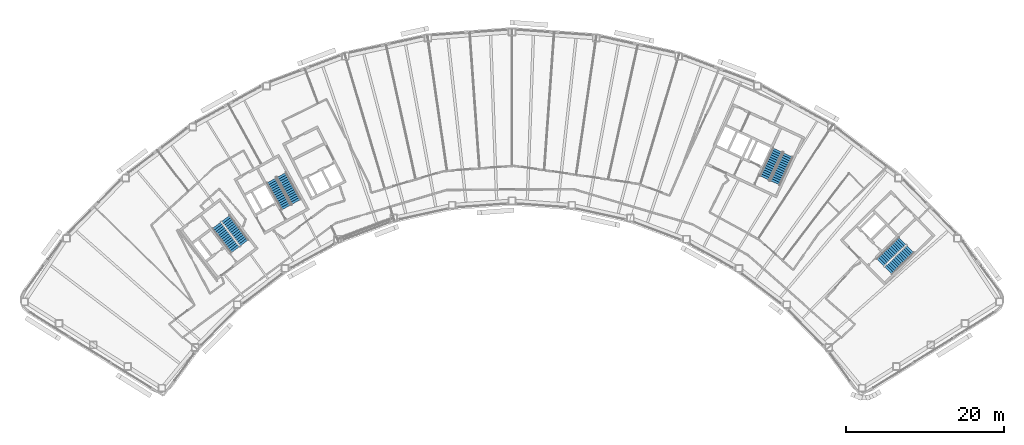
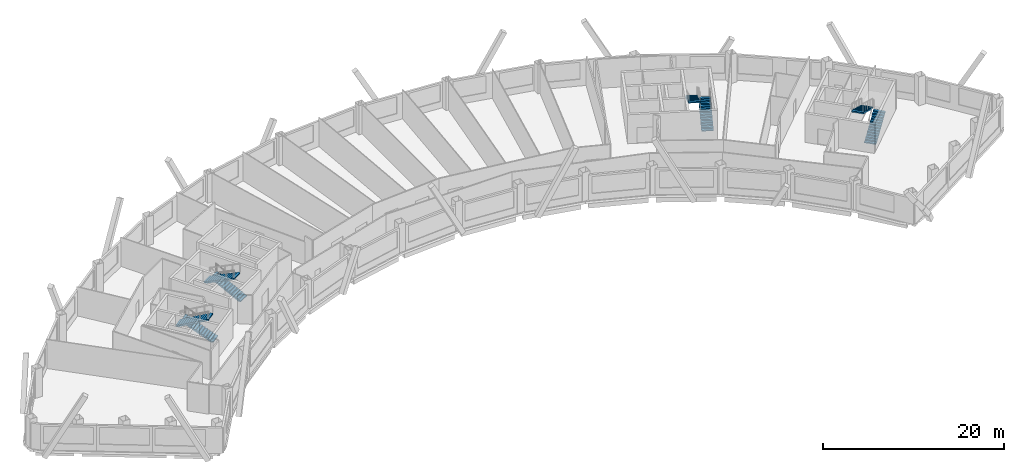
# One storey, part 11 of 13: 8 stair flights, 4 elements without a shape of their own.
"""IFC4 building model written with IfcOpenShell, lengths in metres."""

from ifc_helpers import new_model, si_unit, direction, frame, origin, place, context, subcontext, project, spatial, polyline, outline, extrude, material, type_object, element, aggregate, save


model = new_model("IFC4")

# Units and contexts
model_context = context("Model", 3, precision=1e-05, world=origin(), true_north=direction((0.0, 1.0)))
body_context = subcontext(model_context, "Body", "Model", "MODEL_VIEW")
ifc_project = project(units=[si_unit("LENGTHUNIT", "METRE"), si_unit("AREAUNIT", "SQUARE_METRE"), si_unit("VOLUMEUNIT", "CUBIC_METRE"), si_unit("PLANEANGLEUNIT", "RADIAN"), si_unit("MASSUNIT", "GRAM", prefix="KILO")], contexts=[model_context])

# Site, building, storey
site_placement = place(None, origin())
site = spatial("IfcSite", under=ifc_project, at=site_placement, CompositionType="ELEMENT")
building_placement = place(site_placement, origin())
building = spatial("IfcBuilding", under=site, at=building_placement, Name="Tuul Gate Civic Tower", CompositionType="ELEMENT")
storey_placement = place(building_placement, frame((0.0, 0.0, 188.89990234375)))
storey = spatial("IfcBuildingStorey", under=building, at=storey_placement, Name="Level 43", CompositionType="ELEMENT", Elevation=188.89990234375)

# Stair, stair flights
ifc_material_1 = material(Name="Concrete C40/50", Category="concrete")
stair_type = type_object("IfcStairType", Name="Exit stair", PredefinedType="HALF_TURN_STAIR", material=ifc_material_1)
stair_1_placement = place(storey_placement, origin())
stair_1 = element("IfcStair", 1, at=stair_1_placement, inside=storey, type_object=stair_type, Name="Level 43 ST-1", PredefinedType="HALF_TURN_STAIR")
ifc_material_2 = material(Name="Concrete C40/50", Category="concrete")
stair_flight_type = type_object("IfcStairFlightType", Name="Exit stair flight", PredefinedType="STRAIGHT", material=ifc_material_2)
stair_flight_1_placement = place(storey_placement, frame((-32.875244140625, -13.066650390625, 0.0), z_axis=(0.0, 0.0, 1.0), x_axis=(-0.605764474941, 0.795644016442, 0.0)))
stair_flight_1 = element("IfcStairFlight", 2, at=stair_flight_1_placement, type_object=stair_flight_type, Name="ST-1 flight 1", NumberOfRisers=14, NumberOfTreads=13, PredefinedType="STRAIGHT", RiserHeight=0.15, TreadLength=0.3, context=body_context, shape_type="SweptSolid", body=[
    extrude(outline(polyline([(0.0, 0.0), (0.0, 0.14990234375), (0.300048828125, 0.14990234375), (0.300048828125, 0.300048828125), (0.60009765625, 0.300048828125), (0.60009765625, 0.449951171875), (0.89990234375, 0.449951171875), (0.89990234375, 0.60009765625), (1.199951171875, 0.60009765625), (1.199951171875, 0.75), (1.5, 0.75), (1.5, 0.89990234375), (1.800048828125, 0.89990234375), (1.800048828125, 1.050048828125), (2.10009765625, 1.050048828125), (2.10009765625, 1.199951171875), (2.39990234375, 1.199951171875), (2.39990234375, 1.35009765625), (2.699951171875, 1.35009765625), (2.699951171875, 1.5), (3.0, 1.5), (3.0, 1.64990234375), (3.300048828125, 1.64990234375), (3.300048828125, 1.800048828125), (3.60009765625, 1.800048828125), (3.60009765625, 1.949951171875), (3.89990234375, 1.949951171875), (3.89990234375, 2.10009765625), (3.89990234375, 1.782470703125), (0.335205078125, 0.0), (0.0, 0.0)])), frame((0.0, 0.675048828125, 0.0), z_axis=(0.0, -1.0, 0.0), x_axis=(1.0, 0.0, 0.0)), (0.0, 0.0, 1.0), 1.35009765625),
])
stair_flight_2_placement = place(storey_placement, frame((-36.391357421875, -10.842041015625, 2.10009765625), z_axis=(0.0, 0.0, 1.0), x_axis=(0.605764474941, -0.795644016442, 0.0)))
stair_flight_2 = element("IfcStairFlight", 3, at=stair_flight_2_placement, type_object=stair_flight_type, Name="ST-1 flight 2", NumberOfRisers=14, NumberOfTreads=13, PredefinedType="STRAIGHT", RiserHeight=0.15, TreadLength=0.3, context=body_context, shape_type="SweptSolid", body=[
    extrude(outline(polyline([(0.0, 0.0), (0.0, 0.14990234375), (0.300048828125, 0.14990234375), (0.300048828125, 0.300048828125), (0.60009765625, 0.300048828125), (0.60009765625, 0.449951171875), (0.89990234375, 0.449951171875), (0.89990234375, 0.60009765625), (1.199951171875, 0.60009765625), (1.199951171875, 0.75), (1.5, 0.75), (1.5, 0.89990234375), (1.800048828125, 0.89990234375), (1.800048828125, 1.050048828125), (2.10009765625, 1.050048828125), (2.10009765625, 1.199951171875), (2.39990234375, 1.199951171875), (2.39990234375, 1.35009765625), (2.699951171875, 1.35009765625), (2.699951171875, 1.5), (3.0, 1.5), (3.0, 1.64990234375), (3.300048828125, 1.64990234375), (3.300048828125, 1.800048828125), (3.60009765625, 1.800048828125), (3.60009765625, 1.949951171875), (3.89990234375, 1.949951171875), (3.89990234375, 2.10009765625), (3.89990234375, 1.782470703125), (0.335205078125, 0.0), (0.0, 0.0)])), frame((0.0, 0.675048828125, 0.0), z_axis=(0.0, -1.0, 0.0), x_axis=(1.0, 0.0, 0.0)), (0.0, 0.0, 1.0), 1.35009765625),
])
aggregate(stair_1, [stair_flight_1, stair_flight_2])

stair_2_placement = place(storey_placement, origin())
stair_2 = element("IfcStair", 4, at=stair_2_placement, inside=storey, type_object=stair_type, Name="Level 43 ST-2", PredefinedType="HALF_TURN_STAIR")
stair_flight_3_placement = place(storey_placement, frame((-26.29150390625, -7.87646484375, 0.0), z_axis=(0.0, 0.0, 1.0), x_axis=(-0.484761763766, 0.874646232708, 0.0)))
stair_flight_3 = element("IfcStairFlight", 5, at=stair_flight_3_placement, type_object=stair_flight_type, Name="ST-2 flight 1", NumberOfRisers=14, NumberOfTreads=13, PredefinedType="STRAIGHT", RiserHeight=0.15, TreadLength=0.3, context=body_context, shape_type="SweptSolid", body=[
    extrude(outline(polyline([(0.0, 0.0), (0.0, 0.14990234375), (0.300048828125, 0.14990234375), (0.300048828125, 0.300048828125), (0.60009765625, 0.300048828125), (0.60009765625, 0.449951171875), (0.89990234375, 0.449951171875), (0.89990234375, 0.60009765625), (1.199951171875, 0.60009765625), (1.199951171875, 0.75), (1.5, 0.75), (1.5, 0.89990234375), (1.800048828125, 0.89990234375), (1.800048828125, 1.050048828125), (2.10009765625, 1.050048828125), (2.10009765625, 1.199951171875), (2.39990234375, 1.199951171875), (2.39990234375, 1.35009765625), (2.699951171875, 1.35009765625), (2.699951171875, 1.5), (3.0, 1.5), (3.0, 1.64990234375), (3.300048828125, 1.64990234375), (3.300048828125, 1.800048828125), (3.60009765625, 1.800048828125), (3.60009765625, 1.949951171875), (3.89990234375, 1.949951171875), (3.89990234375, 2.10009765625), (3.89990234375, 1.782470703125), (0.335205078125, 0.0), (0.0, 0.0)])), frame((0.0, 0.675048828125, 0.0), z_axis=(0.0, -1.0, 0.0), x_axis=(1.0, 0.0, 0.0)), (0.0, 0.0, 1.0), 1.35009765625),
])
stair_flight_4_placement = place(storey_placement, frame((-29.450439453125, -5.168212890625, 2.10009765625), z_axis=(0.0, 0.0, 1.0), x_axis=(0.484761763766, -0.874646232708, 0.0)))
stair_flight_4 = element("IfcStairFlight", 6, at=stair_flight_4_placement, type_object=stair_flight_type, Name="ST-2 flight 2", NumberOfRisers=14, NumberOfTreads=13, PredefinedType="STRAIGHT", RiserHeight=0.15, TreadLength=0.3, context=body_context, shape_type="SweptSolid", body=[
    extrude(outline(polyline([(0.0, 0.0), (0.0, 0.14990234375), (0.300048828125, 0.14990234375), (0.300048828125, 0.300048828125), (0.60009765625, 0.300048828125), (0.60009765625, 0.449951171875), (0.89990234375, 0.449951171875), (0.89990234375, 0.60009765625), (1.199951171875, 0.60009765625), (1.199951171875, 0.75), (1.5, 0.75), (1.5, 0.89990234375), (1.800048828125, 0.89990234375), (1.800048828125, 1.050048828125), (2.10009765625, 1.050048828125), (2.10009765625, 1.199951171875), (2.39990234375, 1.199951171875), (2.39990234375, 1.35009765625), (2.699951171875, 1.35009765625), (2.699951171875, 1.5), (3.0, 1.5), (3.0, 1.64990234375), (3.300048828125, 1.64990234375), (3.300048828125, 1.800048828125), (3.60009765625, 1.800048828125), (3.60009765625, 1.949951171875), (3.89990234375, 1.949951171875), (3.89990234375, 2.10009765625), (3.89990234375, 1.782470703125), (0.335205078125, 0.0), (0.0, 0.0)])), frame((0.0, 0.675048828125, 0.0), z_axis=(0.0, -1.0, 0.0), x_axis=(1.0, 0.0, 0.0)), (0.0, 0.0, 1.0), 1.35009765625),
])
aggregate(stair_2, [stair_flight_3, stair_flight_4])

stair_3_placement = place(storey_placement, origin())
stair_3 = element("IfcStair", 7, at=stair_3_placement, inside=storey, type_object=stair_type, Name="Level 43 ST-3", PredefinedType="HALF_TURN_STAIR")
stair_flight_5_placement = place(storey_placement, frame((48.61376953125, -16.581787109375, 0.0), z_axis=(0.0, 0.0, 1.0), x_axis=(0.714127290059, 0.700015866672, 0.0)))
stair_flight_5 = element("IfcStairFlight", 8, at=stair_flight_5_placement, type_object=stair_flight_type, Name="ST-3 flight 1", NumberOfRisers=14, NumberOfTreads=13, PredefinedType="STRAIGHT", RiserHeight=0.15, TreadLength=0.3, context=body_context, shape_type="SweptSolid", body=[
    extrude(outline(polyline([(0.0, 0.0), (0.0, 0.14990234375), (0.300048828125, 0.14990234375), (0.300048828125, 0.300048828125), (0.60009765625, 0.300048828125), (0.60009765625, 0.449951171875), (0.89990234375, 0.449951171875), (0.89990234375, 0.60009765625), (1.199951171875, 0.60009765625), (1.199951171875, 0.75), (1.5, 0.75), (1.5, 0.89990234375), (1.800048828125, 0.89990234375), (1.800048828125, 1.050048828125), (2.10009765625, 1.050048828125), (2.10009765625, 1.199951171875), (2.39990234375, 1.199951171875), (2.39990234375, 1.35009765625), (2.699951171875, 1.35009765625), (2.699951171875, 1.5), (3.0, 1.5), (3.0, 1.64990234375), (3.300048828125, 1.64990234375), (3.300048828125, 1.800048828125), (3.60009765625, 1.800048828125), (3.60009765625, 1.949951171875), (3.89990234375, 1.949951171875), (3.89990234375, 2.10009765625), (3.89990234375, 1.782470703125), (0.335205078125, 0.0), (0.0, 0.0)])), frame((0.0, 0.675048828125, 0.0), z_axis=(0.0, -1.0, 0.0), x_axis=(1.0, 0.0, 0.0)), (0.0, 0.0, 1.0), 1.35009765625),
])
stair_flight_6_placement = place(storey_placement, frame((50.3837890625, -12.816162109375, 2.10009765625), z_axis=(0.0, 0.0, 1.0), x_axis=(-0.714127290059, -0.700015866672, 0.0)))
stair_flight_6 = element("IfcStairFlight", 9, at=stair_flight_6_placement, type_object=stair_flight_type, Name="ST-3 flight 2", NumberOfRisers=14, NumberOfTreads=13, PredefinedType="STRAIGHT", RiserHeight=0.15, TreadLength=0.3, context=body_context, shape_type="SweptSolid", body=[
    extrude(outline(polyline([(0.0, 0.0), (0.0, 0.14990234375), (0.300048828125, 0.14990234375), (0.300048828125, 0.300048828125), (0.60009765625, 0.300048828125), (0.60009765625, 0.449951171875), (0.89990234375, 0.449951171875), (0.89990234375, 0.60009765625), (1.199951171875, 0.60009765625), (1.199951171875, 0.75), (1.5, 0.75), (1.5, 0.89990234375), (1.800048828125, 0.89990234375), (1.800048828125, 1.050048828125), (2.10009765625, 1.050048828125), (2.10009765625, 1.199951171875), (2.39990234375, 1.199951171875), (2.39990234375, 1.35009765625), (2.699951171875, 1.35009765625), (2.699951171875, 1.5), (3.0, 1.5), (3.0, 1.64990234375), (3.300048828125, 1.64990234375), (3.300048828125, 1.800048828125), (3.60009765625, 1.800048828125), (3.60009765625, 1.949951171875), (3.89990234375, 1.949951171875), (3.89990234375, 2.10009765625), (3.89990234375, 1.782470703125), (0.335205078125, 0.0), (0.0, 0.0)])), frame((0.0, 0.675048828125, 0.0), z_axis=(0.0, -1.0, 0.0), x_axis=(1.0, 0.0, 0.0)), (0.0, 0.0, 1.0), 1.35009765625),
])
aggregate(stair_3, [stair_flight_5, stair_flight_6])

stair_4_placement = place(storey_placement, origin())
stair_4 = element("IfcStair", 10, at=stair_4_placement, inside=storey, type_object=stair_type, Name="Level 43 ST-4", PredefinedType="HALF_TURN_STAIR")
stair_flight_7_placement = place(storey_placement, frame((34.278564453125, -5.478515625, 0.0), z_axis=(0.0, 0.0, 1.0), x_axis=(0.422576295988, 0.906327354806, 0.0)))
stair_flight_7 = element("IfcStairFlight", 11, at=stair_flight_7_placement, type_object=stair_flight_type, Name="ST-4 flight 1", NumberOfRisers=14, NumberOfTreads=13, PredefinedType="STRAIGHT", RiserHeight=0.15, TreadLength=0.3, context=body_context, shape_type="SweptSolid", body=[
    extrude(outline(polyline([(0.0, 0.0), (0.0, 0.14990234375), (0.300048828125, 0.14990234375), (0.300048828125, 0.300048828125), (0.60009765625, 0.300048828125), (0.60009765625, 0.449951171875), (0.89990234375, 0.449951171875), (0.89990234375, 0.60009765625), (1.199951171875, 0.60009765625), (1.199951171875, 0.75), (1.5, 0.75), (1.5, 0.89990234375), (1.800048828125, 0.89990234375), (1.800048828125, 1.050048828125), (2.10009765625, 1.050048828125), (2.10009765625, 1.199951171875), (2.39990234375, 1.199951171875), (2.39990234375, 1.35009765625), (2.699951171875, 1.35009765625), (2.699951171875, 1.5), (3.0, 1.5), (3.0, 1.64990234375), (3.300048828125, 1.64990234375), (3.300048828125, 1.800048828125), (3.60009765625, 1.800048828125), (3.60009765625, 1.949951171875), (3.89990234375, 1.949951171875), (3.89990234375, 2.10009765625), (3.89990234375, 1.782470703125), (0.335205078125, 0.0), (0.0, 0.0)])), frame((0.0, 0.675048828125, 0.0), z_axis=(0.0, -1.0, 0.0), x_axis=(1.0, 0.0, 0.0)), (0.0, 0.0, 1.0), 1.35009765625),
])
stair_flight_8_placement = place(storey_placement, frame((34.612548828125, -1.3310546875, 2.10009765625), z_axis=(0.0, 0.0, 1.0), x_axis=(-0.422576295988, -0.906327354806, 0.0)))
stair_flight_8 = element("IfcStairFlight", 12, at=stair_flight_8_placement, type_object=stair_flight_type, Name="ST-4 flight 2", NumberOfRisers=14, NumberOfTreads=13, PredefinedType="STRAIGHT", RiserHeight=0.15, TreadLength=0.3, context=body_context, shape_type="SweptSolid", body=[
    extrude(outline(polyline([(0.0, 0.0), (0.0, 0.14990234375), (0.300048828125, 0.14990234375), (0.300048828125, 0.300048828125), (0.60009765625, 0.300048828125), (0.60009765625, 0.449951171875), (0.89990234375, 0.449951171875), (0.89990234375, 0.60009765625), (1.199951171875, 0.60009765625), (1.199951171875, 0.75), (1.5, 0.75), (1.5, 0.89990234375), (1.800048828125, 0.89990234375), (1.800048828125, 1.050048828125), (2.10009765625, 1.050048828125), (2.10009765625, 1.199951171875), (2.39990234375, 1.199951171875), (2.39990234375, 1.35009765625), (2.699951171875, 1.35009765625), (2.699951171875, 1.5), (3.0, 1.5), (3.0, 1.64990234375), (3.300048828125, 1.64990234375), (3.300048828125, 1.800048828125), (3.60009765625, 1.800048828125), (3.60009765625, 1.949951171875), (3.89990234375, 1.949951171875), (3.89990234375, 2.10009765625), (3.89990234375, 1.782470703125), (0.335205078125, 0.0), (0.0, 0.0)])), frame((0.0, 0.675048828125, 0.0), z_axis=(0.0, -1.0, 0.0), x_axis=(1.0, 0.0, 0.0)), (0.0, 0.0, 1.0), 1.35009765625),
])
aggregate(stair_4, [stair_flight_7, stair_flight_8])

save(model, "model.ifc")
